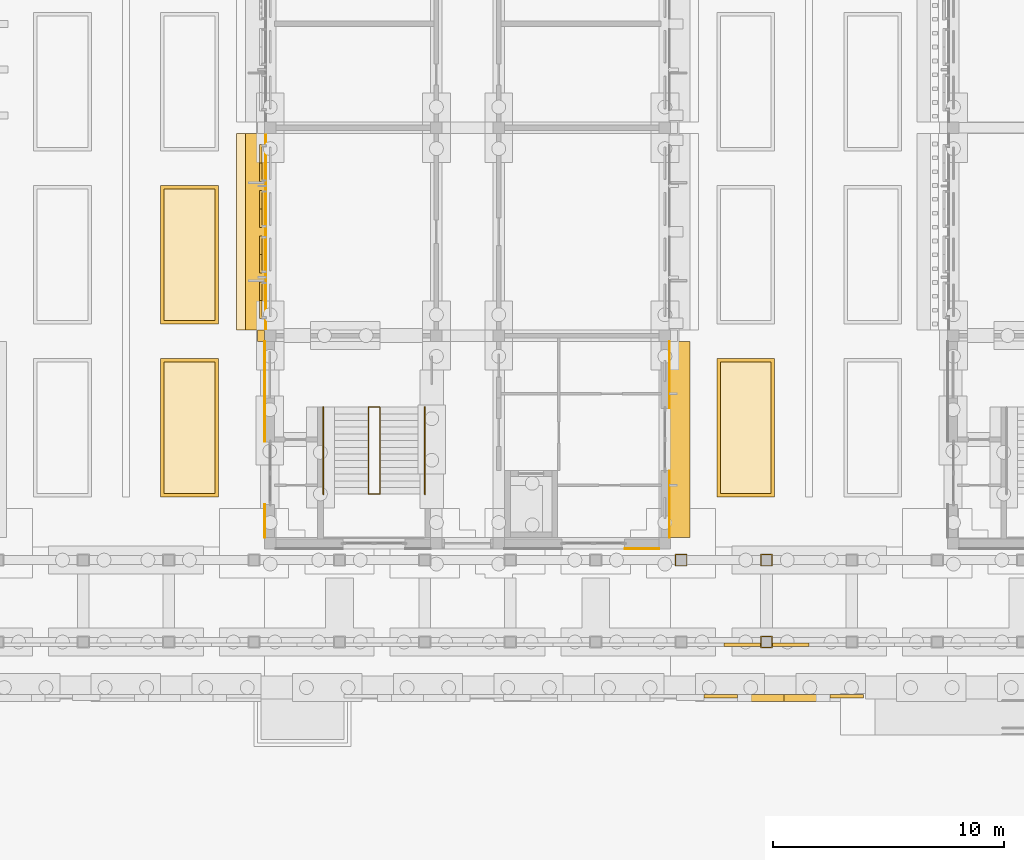
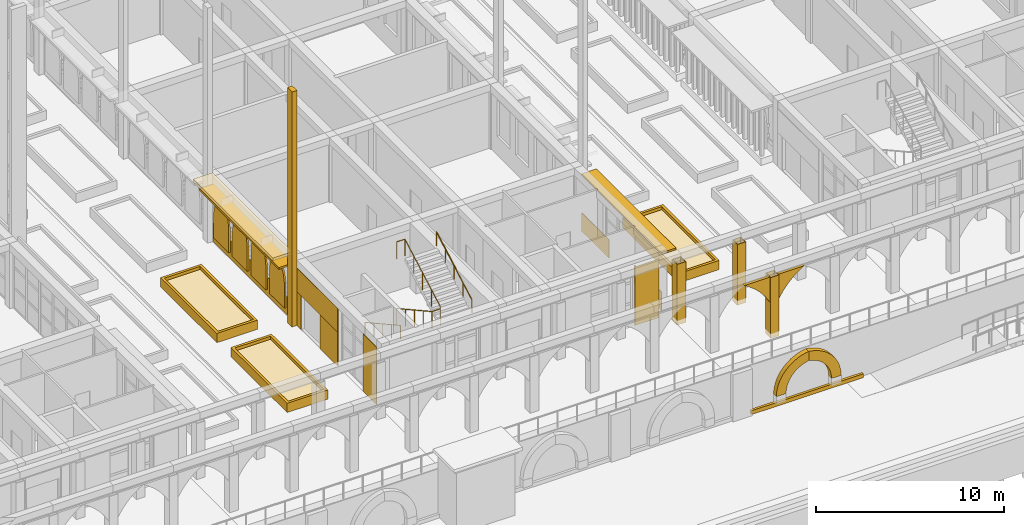
# One storey, part 100 of 161: 24 coverings, 6 shading devices, 3 railings.
"""IFC4 building model written with IfcOpenShell, lengths in metres."""

from ifc_helpers import new_model, si_unit, direction, frame, origin, origin_2d, place, context, subcontext, project, spatial, polyline, rectangle, circle, outline, extrude, material, layer, layer_set, type_object, element, save


model = new_model("IFC4")

# Units and contexts
model_context = context("Model", 3, precision=1e-05, world=origin(), true_north=direction((0.0, 1.0)))
body_context = subcontext(model_context, "Body", "Model", "MODEL_VIEW")
ifc_project = project(units=[si_unit("LENGTHUNIT", "METRE"), si_unit("AREAUNIT", "SQUARE_METRE"), si_unit("VOLUMEUNIT", "CUBIC_METRE"), si_unit("PLANEANGLEUNIT", "RADIAN"), si_unit("MASSUNIT", "GRAM", prefix="KILO")], contexts=[model_context])

# Site, building, storey
site_placement = place(None, origin())
site = spatial("IfcSite", under=ifc_project, at=site_placement, CompositionType="ELEMENT")
building_placement = place(site_placement, origin())
building = spatial("IfcBuilding", under=site, at=building_placement, Name="Elbe Cascade School", CompositionType="ELEMENT")
storey_placement = place(building_placement, origin())
storey = spatial("IfcBuildingStorey", under=building, at=storey_placement, Name="L00", CompositionType="ELEMENT", Elevation=0.0)

# Railings
ifc_material_1 = material(Name="Steel S355J2H, painted", Category="steel")
railing_type_1 = type_object("IfcRailingType", Name="Bar stair guard 1100", PredefinedType="GUARDRAIL", material=ifc_material_1)
railing_1_placement = place(storey_placement, frame((102.85009765625, 11.89990234375, 0.16064453125)))
element("IfcRailing", 1, at=railing_1_placement, inside=storey, type_object=railing_type_1, Name="Stair guard B0.S", PredefinedType="GUARDRAIL", context=body_context, shape_type="SweptSolid", body=[
    extrude(circle(Radius=0.02392578125, at=origin_2d()), frame((0.0, 0.0, 1.09619140625), z_axis=(0.0, -0.874659101714, 0.484738543742), x_axis=(1.0, 0.0, 0.0)), (0.0, 0.0, 1.0), 4.310302734375),
    extrude(circle(Radius=0.02392578125, at=origin_2d()), frame((0.0, -3.77001953125, 3.185546875), z_axis=(1.0, 0.0, 0.0), x_axis=(0.0, 1.0, 0.0)), (0.0, 0.0, 1.0), 0.5),
    extrude(circle(Radius=0.02392578125, at=origin_2d()), frame((0.5, -3.77001953125, 3.185546875), z_axis=(0.0, 0.0, 1.0), x_axis=(1.0, 0.0, 0.0)), (0.0, 0.0, 1.0), 0.16064453125),
    extrude(circle(Radius=0.02392578125, at=origin_2d()), frame((0.5, -3.77001953125, 3.34619140625), z_axis=(0.0, 0.874659101714, 0.484738543742), x_axis=(-1.0, 0.0, 0.0)), (0.0, 0.0, 1.0), 4.310302734375),
    extrude(circle(Radius=0.02392578125, at=origin_2d()), frame((0.5, 0.0, 5.435546875), z_axis=(-1.0, 0.0, 0.0), x_axis=(0.0, -1.0, 0.0)), (0.0, 0.0, 1.0), 0.5),
    extrude(circle(Radius=0.02099609375, at=origin_2d()), origin(), (0.0, 0.0, 1.0), 1.072021484375),
    extrude(circle(Radius=0.02099609375, at=origin_2d()), frame((0.0, -0.9423828125, 0.5224609375)), (0.0, 0.0, 1.0), 1.072021484375),
    extrude(circle(Radius=0.02099609375, at=origin_2d()), frame((0.0, -1.885009765625, 1.044677734375)), (0.0, 0.0, 1.0), 1.072021484375),
    extrude(circle(Radius=0.02099609375, at=origin_2d()), frame((0.0, -2.82763671875, 1.56689453125)), (0.0, 0.0, 1.0), 1.072021484375),
    extrude(circle(Radius=0.02099609375, at=origin_2d()), frame((0.0, -3.77001953125, 2.08935546875)), (0.0, 0.0, 1.0), 1.072021484375),
    extrude(circle(Radius=0.02099609375, at=origin_2d()), frame((0.5, -3.77001953125, 2.08935546875)), (0.0, 0.0, 1.0), 1.072021484375),
    extrude(circle(Radius=0.02099609375, at=origin_2d()), frame((0.5, -3.77001953125, 2.25)), (0.0, 0.0, 1.0), 1.072021484375),
    extrude(circle(Radius=0.02099609375, at=origin_2d()), frame((0.5, -2.82763671875, 2.7724609375)), (0.0, 0.0, 1.0), 1.072021484375),
    extrude(circle(Radius=0.02099609375, at=origin_2d()), frame((0.5, -1.885009765625, 3.294677734375)), (0.0, 0.0, 1.0), 1.072021484375),
    extrude(circle(Radius=0.02099609375, at=origin_2d()), frame((0.5, -0.9423828125, 3.81689453125)), (0.0, 0.0, 1.0), 1.072021484375),
    extrude(circle(Radius=0.02099609375, at=origin_2d()), frame((0.5, 0.0, 4.33935546875)), (0.0, 0.0, 1.0), 1.072021484375),
    extrude(circle(Radius=0.02099609375, at=origin_2d()), frame((0.0, 0.0, 4.33935546875)), (0.0, 0.0, 1.0), 1.072021484375),
])
ifc_material_2 = material(Name="Steel S355J2H, painted", Category="steel")
railing_type_2 = type_object("IfcRailingType", Name="Bar stair handrail 900", PredefinedType="HANDRAIL", material=ifc_material_2)
railing_2_placement = place(storey_placement, frame((100.89990234375, 11.89990234375, 0.16064453125)))
element("IfcRailing", 2, at=railing_2_placement, inside=storey, type_object=railing_type_2, Name="Stair handrail B0.S", PredefinedType="HANDRAIL", context=body_context, shape_type="SweptSolid", body=[
    extrude(circle(Radius=0.02392578125, at=origin_2d()), frame((0.0, 0.0, 0.8759765625), z_axis=(0.0, -0.874659101714, 0.484738543742), x_axis=(1.0, 0.0, 0.0)), (0.0, 0.0, 1.0), 4.310302734375),
    extrude(circle(Radius=0.02099609375, at=origin_2d()), origin(), (0.0, 0.0, 1.0), 0.851806640625),
    extrude(circle(Radius=0.02099609375, at=origin_2d()), frame((0.0, -0.9423828125, 0.5224609375)), (0.0, 0.0, 1.0), 0.851806640625),
    extrude(circle(Radius=0.02099609375, at=origin_2d()), frame((0.0, -1.885009765625, 1.044677734375)), (0.0, 0.0, 1.0), 0.851806640625),
    extrude(circle(Radius=0.02099609375, at=origin_2d()), frame((0.0, -2.82763671875, 1.56689453125)), (0.0, 0.0, 1.0), 0.851806640625),
    extrude(circle(Radius=0.02099609375, at=origin_2d()), frame((0.0, -3.77001953125, 2.08935546875)), (0.0, 0.0, 1.0), 0.851806640625),
])
railing_3_placement = place(storey_placement, frame((105.300048828125, 8.1298828125, 2.41064453125)))
element("IfcRailing", 3, at=railing_3_placement, inside=storey, type_object=railing_type_2, Name="Stair handrail B0.S", PredefinedType="HANDRAIL", context=body_context, shape_type="SweptSolid", body=[
    extrude(circle(Radius=0.02392578125, at=origin_2d()), frame((0.0, 0.0, 0.8759765625), z_axis=(0.0, 0.874659101714, 0.484738543742), x_axis=(-1.0, 0.0, 0.0)), (0.0, 0.0, 1.0), 4.310302734375),
    extrude(circle(Radius=0.02099609375, at=origin_2d()), origin(), (0.0, 0.0, 1.0), 0.851806640625),
    extrude(circle(Radius=0.02099609375, at=origin_2d()), frame((0.0, 0.9423828125, 0.5224609375)), (0.0, 0.0, 1.0), 0.851806640625),
    extrude(circle(Radius=0.02099609375, at=origin_2d()), frame((0.0, 1.885009765625, 1.044677734375)), (0.0, 0.0, 1.0), 0.851806640625),
    extrude(circle(Radius=0.02099609375, at=origin_2d()), frame((0.0, 2.82763671875, 1.56689453125)), (0.0, 0.0, 1.0), 0.851806640625),
    extrude(circle(Radius=0.02099609375, at=origin_2d()), frame((0.0, 3.77001953125, 2.08935546875)), (0.0, 0.0, 1.0), 0.851806640625),
])

# Shading devices
ifc_material_3 = material(Name="Precast concrete C30/37", Category="concrete")
ifc_layer_1 = layer(ifc_material_3, 0.1201171875)
ifc_layer_set_1 = layer_set([ifc_layer_1], Name="Precast concrete C30/37")
shading_device_type_1 = type_object("IfcShadingDeviceType", Name="Bars envelope Chhajja eave, precast concrete, 900 x 120", PredefinedType="USERDEFINED", material=ifc_layer_set_1)
for number, where, z_axis, x_axis, name in (
    (4, (97.969970703125, 19.5, 3.6298828125), (0.0, 0.0, 1.0), (0.0, 1.0, 0.0), "Chhajja eave SD2 B.L00.w2"),
    (5, (116.330078125, 10.5, 3.6298828125), (0.0, 0.0, 1.0), (0.0, 1.0, 0.0), "Chhajja eave SD2 B.L00.e1"),
):
    element("IfcShadingDevice", number, at=place(storey_placement, frame(where, z_axis=z_axis, x_axis=x_axis)), inside=storey, type_object=shading_device_type_1, Name=name, ObjectType="CHHAJJA", PredefinedType="USERDEFINED", context=body_context, shape_type="SweptSolid", body=[
        extrude(rectangle(XDim=8.5, YDim=0.89990234375, at=origin_2d()), origin(), (0.0, 0.0, 1.0), 0.1201171875),
    ])
ifc_material_4 = material(Name="Precast concrete C40/50", Category="concrete")
ifc_layer_2 = layer(ifc_material_4, 0.10009765625)
ifc_layer_set_2 = layer_set([ifc_layer_2], Name="Precast concrete C40/50")
shading_device_type_2 = type_object("IfcShadingDeviceType", Name="Bars envelope Jali screen 1600 x 2840, pointed arch rise 1200, pierced precast concrete", PredefinedType="USERDEFINED", material=ifc_layer_set_2)
shading_device_1_placement = place(storey_placement, frame((98.139892578125, 15.72998046875, 2.239990234375), z_axis=(-1.0, 0.0, 0.0), x_axis=(0.0, 0.196300278283, 0.98054382908)))
element("IfcShadingDevice", 6, at=shading_device_1_placement, inside=storey, type_object=shading_device_type_2, Name="Jali screen SD3 B.L00.w2.1", ObjectType="JALI", PredefinedType="USERDEFINED", context=body_context, shape_type="SweptSolid", body=[
    extrude(outline(polyline([(0.0, 0.0), (0.509921112317134, 0.0), (0.7186409460062186, 0.06005009918221829), (0.8735458233318658, 0.1311226852889124), (0.9982395622926888, 0.20799441476340969), (1.102872417131342, 0.2891312241218946), (1.1919448840573539, 0.37338315020117196), (1.268281725197354, 0.45993570394643946), (1.3336545243794973, 0.5489321924158467), (1.3075321958793382, 0.6559965916457164), (1.270445825421322, 0.7655049255997259), (1.220671754049922, 0.877553277802997), (1.155289369893253, 0.9924773561437888), (1.069846101614414, 1.1116665143685687), (0.9541916949707512, 1.2366548159611515), (0.7847223319636507, 1.37266560447821), (0.31409961520112845, 1.5689658827607584), (-1.2938869326328684, 1.8908772522001815), (-1.6079865478339967, 0.32191136943942317), (0.0, 0.0)])), origin(), (0.0, 0.0, -1.0), 0.10009765625),
])
for number, where, z_axis, x_axis, name in (
    (7, (98.139892578125, 17.7099609375, 2.239990234375), (-1.0, 0.0, 0.0), (0.0, 0.196300278283, 0.98054382908), "Jali screen SD3 B.L00.w2.2"),
    (8, (98.139892578125, 19.68994140625, 2.239990234375), (-1.0, 0.0, 0.0), (0.0, 0.196300278283, 0.98054382908), "Jali screen SD3 B.L00.w2.3"),
):
    element("IfcShadingDevice", number, at=place(storey_placement, frame(where, z_axis=z_axis, x_axis=x_axis)), inside=storey, type_object=shading_device_type_2, Name=name, ObjectType="JALI", PredefinedType="USERDEFINED", context=body_context, shape_type="SweptSolid", body=[
        extrude(outline(polyline([(0.0, 0.0), (0.509921112317134, 0.0), (0.7186409460062186, 0.06005009918221829), (0.8735458233318658, 0.1311226852889124), (0.9982874871653163, 0.20823380534668107), (1.102872417131342, 0.2891312241218946), (1.1919448840573539, 0.37338315020117196), (1.268281725197354, 0.45993570394643946), (1.3336545243794973, 0.5489321924158467), (1.3075801207519657, 0.6562359822289878), (1.270445825421322, 0.7655049255997259), (1.220671754049922, 0.877553277802997), (1.155289369893253, 0.9924773561437888), (1.069846101614414, 1.1116665143685687), (0.9542396198433787, 1.2368942065444228), (0.7847223319636507, 1.37266560447821), (0.31409961520112845, 1.5689658827607584), (-1.2938869326328684, 1.8908772522001815), (-1.6079865478339967, 0.32191136943942317), (0.0, 0.0)])), origin(), (0.0, 0.0, -1.0), 0.10009765625),
    ])
shading_device_2_placement = place(storey_placement, frame((98.139892578125, 21.669921875, 2.239990234375), z_axis=(-1.0, 0.0, 0.0), x_axis=(0.0, 0.196300278283, 0.98054382908)))
element("IfcShadingDevice", 9, at=shading_device_2_placement, inside=storey, type_object=shading_device_type_2, Name="Jali screen SD3 B.L00.w2.4", ObjectType="JALI", PredefinedType="USERDEFINED", context=body_context, shape_type="SweptSolid", body=[
    extrude(outline(polyline([(0.0, 0.0), (0.509921112317134, 0.0), (0.7186888708788461, 0.0602894897654897), (0.8735458233318658, 0.1311226852889124), (0.9982874871653163, 0.20823380534668107), (1.102872417131342, 0.2891312241218946), (1.1919448840573539, 0.37338315020117196), (1.2683296500699814, 0.46017509452971084), (1.3336545243794973, 0.5489321924158467), (1.3075801207519657, 0.6562359822289878), (1.270445825421322, 0.7655049255997259), (1.220671754049922, 0.877553277802997), (1.1553372947658807, 0.9927167467270602), (1.069846101614414, 1.1116665143685687), (0.9542396198433787, 1.2368942065444228), (0.7847223319636507, 1.37266560447821), (0.31409961520112845, 1.5689658827607584), (-1.2938869326328684, 1.8908772522001815), (-1.6079865478339967, 0.32191136943942317), (0.0, 0.0)])), origin(), (0.0, 0.0, -1.0), 0.10009765625),
])

# Coverings
ifc_material_5 = material(Name="Sandstone - red", Category="masonry")
covering_type_1 = type_object("IfcCoveringType", Name="Bars envelope Sandstone chhajja slab, 1200 deep", PredefinedType="CLADDING", material=ifc_material_5)
covering_1_placement = place(storey_placement, frame((97.75, 19.5, 4.31982421875), z_axis=(0.0, 0.0, 1.0), x_axis=(0.0, 1.0, 0.0)))
element("IfcCovering", 10, at=covering_1_placement, inside=storey, type_object=covering_type_1, Name="Chhajja slab CV61 B.L00.w1.1", PredefinedType="CLADDING", context=body_context, shape_type="SweptSolid", body=[
    extrude(rectangle(XDim=8.5, YDim=1.199951171875, at=origin_2d()), origin(), (0.0, 0.0, 1.0), 0.179931640625),
])
ifc_material_6 = material(Name="Sandstone - red", Category="masonry")
ifc_layer_3 = layer(ifc_material_6, 0.0400390625)
ifc_layer_set_3 = layer_set([ifc_layer_3], Name="Sandstone - red")
covering_type_2 = type_object("IfcCoveringType", Name="Bars envelope Sandstone cladding, red, 40 mm", PredefinedType="CLADDING", material=ifc_layer_set_3)
covering_2_placement = place(storey_placement, frame((98.360107421875, 6.969970703125, 0.0), z_axis=(0.0, 0.0, 1.0), x_axis=(0.0, 1.0, 0.0)))
element("IfcCovering", 11, at=covering_2_placement, inside=storey, type_object=covering_type_2, Name="Sandstone cladding CV48 B.L00.w.1a.1", PredefinedType="CLADDING", context=body_context, shape_type="SweptSolid", body=[
    extrude(rectangle(XDim=1.43994140625, YDim=0.0400390625, at=origin_2d()), origin(), (0.0, 0.0, 1.0), 3.75),
])
covering_3_placement = place(storey_placement, frame((98.360107421875, 11.344970703125, 0.0), z_axis=(0.0, 0.0, 1.0), x_axis=(0.0, 1.0, 0.0)))
element("IfcCovering", 12, at=covering_3_placement, inside=storey, type_object=covering_type_2, Name="Sandstone cladding CV48 B.L00.w.1b.1", PredefinedType="CLADDING", context=body_context, shape_type="SweptSolid", body=[
    extrude(rectangle(XDim=1.909912109375, YDim=0.0400390625, at=origin_2d()), origin(), (0.0, 0.0, 1.0), 2.199951171875),
])
covering_4_placement = place(storey_placement, frame((98.360107421875, 14.52490234375, 0.0), z_axis=(0.0, 0.0, 1.0), x_axis=(0.0, 1.0, 0.0)))
element("IfcCovering", 13, at=covering_4_placement, inside=storey, type_object=covering_type_2, Name="Sandstone cladding CV48 B.L00.w.1b.2", PredefinedType="CLADDING", context=body_context, shape_type="SweptSolid", body=[
    extrude(rectangle(XDim=0.449951171875, YDim=0.0400390625, at=origin_2d()), origin(), (0.0, 0.0, 1.0), 2.199951171875),
])
covering_5_placement = place(storey_placement, frame((98.360107421875, 12.570068359375, 2.2001953125), z_axis=(0.0, 0.0, 1.0), x_axis=(0.0, 1.0, 0.0)))
element("IfcCovering", 14, at=covering_5_placement, inside=storey, type_object=covering_type_2, Name="Sandstone cladding CV48 B.L00.w.1b.3", PredefinedType="CLADDING", context=body_context, shape_type="SweptSolid", body=[
    extrude(rectangle(XDim=4.360107421875, YDim=0.0400390625, at=origin_2d()), origin(), (0.0, 0.0, 1.0), 1.550048828125),
])
covering_6_placement = place(storey_placement, frame((98.39990234375, 19.5, 0.0), z_axis=(0.0, 0.0, 1.0), x_axis=(0.0, 1.0, 0.0)))
element("IfcCovering", 15, at=covering_6_placement, inside=storey, type_object=covering_type_2, Name="Sandstone cladding CV48 B.L00.w.2.1", PredefinedType="CLADDING", context=body_context, shape_type="SweptSolid", body=[
    extrude(rectangle(XDim=8.5, YDim=0.0400390625, at=origin_2d()), origin(), (0.0, 0.0, 1.0), 1.199951171875),
])
for number, where, z_axis, x_axis, name in (
    (16, (115.89990234375, 7.699951171875, 0.0), (0.0, 0.0, 1.0), (0.0, 1.0, 0.0), "Sandstone cladding CV48 B.L00.e.1a.1"),
    (17, (115.89990234375, 13.300048828125, 0.0), (0.0, 0.0, 1.0), (0.0, 1.0, 0.0), "Sandstone cladding CV48 B.L00.e.1b.1"),
):
    element("IfcCovering", number, at=place(storey_placement, frame(where, z_axis=z_axis, x_axis=x_axis)), inside=storey, type_object=covering_type_2, Name=name, PredefinedType="CLADDING", context=body_context, shape_type="SweptSolid", body=[
        extrude(rectangle(XDim=2.89990234375, YDim=0.0400390625, at=origin_2d()), origin(), (0.0, 0.0, 1.0), 1.199951171875),
    ])
covering_7_placement = place(storey_placement, frame((114.699951171875, 5.760009765625, 0.0), z_axis=(0.0, 0.0, 1.0), x_axis=(1.0, 0.0, 0.0)))
element("IfcCovering", 18, at=covering_7_placement, inside=storey, type_object=covering_type_2, Name="Sandstone cladding CV48 B.L00.s.3b.1", PredefinedType="CLADDING", context=body_context, shape_type="SweptSolid", body=[
    extrude(rectangle(XDim=1.5, YDim=0.0400390625, at=origin_2d()), origin(), (0.0, 0.0, 1.0), 3.800048828125),
])
ifc_material_7 = material(Name="Sandstone - red", Category="masonry")
covering_type_3 = type_object("IfcCoveringType", Name="Bars envelope Sandstone pilaster, 300 deep", PredefinedType="CLADDING", material=ifc_material_7)
covering_8_placement = place(storey_placement, frame((98.199951171875, 15.0, 0.0), z_axis=(0.0, 0.0, 1.0), x_axis=(0.0, 1.0, 0.0)))
element("IfcCovering", 19, at=covering_8_placement, inside=storey, type_object=covering_type_3, Name="Pilaster CV60 B.w1", PredefinedType="CLADDING", context=body_context, shape_type="SweptSolid", body=[
    extrude(rectangle(XDim=0.5, YDim=0.300048828125, at=origin_2d()), origin(), (0.0, 0.0, 1.0), 15.300048828125),
])
ifc_material_8 = material(Name="Sandstone - red", Category="masonry")
ifc_layer_4 = layer(ifc_material_8, 0.14990234375)
ifc_layer_set_4 = layer_set([ifc_layer_4], Name="Sandstone - red")
covering_type_4 = type_object("IfcCoveringType", Name="Plinth base course 150x250", PredefinedType="CLADDING", material=ifc_layer_set_4)
covering_9_placement = place(storey_placement, frame((0.0, 0.0, -3.10009765625)))
element("IfcCovering", 20, at=covering_9_placement, inside=storey, type_object=covering_type_4, Name="Plinth base course south 0.5.3", PredefinedType="CLADDING", context=body_context, shape_type="SweptSolid", body=[
    extrude(outline(polyline([(117.39990234375, -0.7099609375), (124.300048828125, -0.7099609375), (124.300048828125, -0.56005859375), (117.39990234375, -0.56005859375), (117.39990234375, -0.7099609375)])), origin(), (0.0, 0.0, 1.0), 0.25),
])
ifc_material_9 = material(Name="Sandstone - red", Category="masonry")
ifc_layer_5 = layer(ifc_material_9, 0.300048828125)
ifc_layer_set_5 = layer_set([ifc_layer_5], Name="Sandstone - red")
covering_type_5 = type_object("IfcCoveringType", Name="Plinth niche arch band 600x300", PredefinedType="CLADDING", material=ifc_layer_set_5)
covering_10_placement = place(storey_placement, frame((118.85009765625, -0.860107421875, -2.35009765625), z_axis=(0.0, -1.0, 0.0), x_axis=(1.0, 0.0, 0.0)))
element("IfcCovering", 21, at=covering_10_placement, inside=storey, type_object=covering_type_5, Name="Plinth niche arch band south 0.5.3a", PredefinedType="CLADDING", context=body_context, shape_type="SweptSolid", body=[
    extrude(outline(polyline([(0.0, 0.0), (0.599853515625, 0.0), (0.616455078125, 0.234619140625), (0.665771484375, 0.464599609375), (0.74658203125, 0.685302734375), (0.85791015625, 0.892578125), (0.9970703125, 1.08203125), (1.161376953125, 1.250244140625), (1.34765625, 1.393798828125), (1.55224609375, 1.509521484375), (1.771240234375, 1.595703125), (2.0, 1.650146484375), (2.0, 2.256103515625), (1.676513671875, 2.193115234375), (1.365966796875, 2.083984375), (1.07421875, 1.930908203125), (0.8076171875, 1.737548828125), (0.572021484375, 1.507568359375), (0.371826171875, 1.245849609375), (0.211669921875, 0.9580078125), (0.094970703125, 0.650146484375), (0.023681640625, 0.32861328125), (0.0, 0.0)])), origin(), (0.0, 0.0, -1.0), 0.300048828125),
])
covering_11_placement = place(storey_placement, frame((122.826171875, -0.860107421875, -2.021484375), z_axis=(0.0, -1.0, 0.0), x_axis=(-0.216459489286, 0.0, 0.976291600649)))
element("IfcCovering", 22, at=covering_11_placement, inside=storey, type_object=covering_type_5, Name="Plinth niche arch band south 0.5.3b", PredefinedType="CLADDING", context=body_context, shape_type="SweptSolid", body=[
    extrude(outline(polyline([(0.0, 0.0), (0.32934135960117644, 0.0), (0.6551644417049964, 0.04729296121112139), (0.9708493103907654, 0.14134607453088394), (1.2696444562943432, 0.2799052172108526), (1.545222228379718, 0.4603722209510249), (1.7917058001605646, 0.6787986155785705), (2.004304414248379, 0.9304949932625219), (2.1780687735896525, 1.2100568888472178), (2.3095325423352664, 1.512001110288553), (1.7179417823715963, 1.6431662598021382), (1.6153248124213089, 1.4318531562628691), (1.483783040712662, 1.2367058500948127), (1.3265185703197675, 1.0620157711342504), (1.146045413213602, 0.9112266325612076), (0.946254849459528, 0.7872267157841368), (0.7311708184544712, 0.6923747507733593), (0.5047115664853533, 0.628552762616067), (0.2717487496053557, 0.5974313901794459), (0.036545745541084515, 0.5990656517947303), (-0.1961045165427231, 0.6336432251247164), (-0.3260013487362735, 0.04777292375860029), (0.0, 0.0)])), origin(), (0.0, 0.0, -1.0), 0.300048828125),
])
ifc_material_10 = material(Name="Sandstone - red", Category="masonry")
ifc_layer_6 = layer(ifc_material_10, 0.14990234375)
ifc_layer_set_6 = layer_set([ifc_layer_6], Name="Sandstone - red")
covering_type_6 = type_object("IfcCoveringType", Name="Sandstone arch spandrel 3170x150", PredefinedType="CLADDING", material=ifc_layer_set_6)
covering_12_placement = place(storey_placement, frame((118.25, 1.52490234375, 3.64990234375), z_axis=(0.0, -1.0, 0.0), x_axis=(0.851947232707, 0.0, -0.52362764698)))
element("IfcCovering", 23, at=covering_12_placement, inside=storey, type_object=covering_type_6, Name="Colonnade arch spandrel 30r", PredefinedType="CLADDING", context=body_context, shape_type="SweptSolid", body=[
    extrude(outline(polyline([(0.0, 0.0), (0.2900065908011918, 0.0), (0.5792338172011682, -0.021111896437985944), (0.8660501932777647, -0.06347873721038338), (1.1492726964852549, -0.12610823030003315), (1.4269340071906127, -0.20906326745450166), (1.6980266242612543, -0.3121033802272114), (1.960951535291733, -0.4344919541630051), (2.2142375666576024, -0.5757003697365862), (1.3503030846525463, 0.8299293662587784), (0.0, 0.0)])), origin(), (0.0, 0.0, -1.0), 0.14990234375),
])
covering_13_placement = place(storey_placement, frame((120.364990234375, 1.52490234375, 3.64990234375), z_axis=(0.0, -1.0, 0.0), x_axis=(0.0, 0.0, -1.0)))
element("IfcCovering", 24, at=covering_13_placement, inside=storey, type_object=covering_type_6, Name="Colonnade arch spandrel 31l", PredefinedType="CLADDING", context=body_context, shape_type="SweptSolid", body=[
    extrude(outline(polyline([(0.0, 0.0), (1.64990234375, 0.0), (1.39697265625, 0.141845703125), (1.155029296875, 0.3017578125), (0.92529296875, 0.478759765625), (0.709228515625, 0.672119140625), (0.507568359375, 0.88037109375), (0.3212890625, 1.102783203125), (0.15185546875, 1.337890625), (0.0, 1.5849609375), (0.0, 0.0)])), origin(), (0.0, 0.0, -1.0), 0.14990234375),
])
ifc_material_11 = material(Name="Sandstone - red", Category="masonry")
ifc_layer_7 = layer(ifc_material_11, 0.0400390625)
ifc_layer_set_7 = layer_set([ifc_layer_7], Name="Sandstone - red")
covering_type_7 = type_object("IfcCoveringType", Name="Sandstone column cladding 40", PredefinedType="CLADDING", material=ifc_layer_set_7)
covering_14_placement = place(storey_placement, frame((0.0, 0.0, -0.300048828125)))
element("IfcCovering", 25, at=covering_14_placement, inside=storey, type_object=covering_type_7, Name="Colonnade column sandstone cladding F31", PredefinedType="CLADDING", context=body_context, shape_type="SweptSolid", body=[
    extrude(outline(polyline([(119.8349609375, 1.4599609375), (120.364990234375, 1.4599609375), (120.364990234375, 1.989990234375), (119.8349609375, 1.989990234375), (119.8349609375, 1.4599609375)]), holes=[polyline([(119.875, 1.949951171875), (120.324951171875, 1.949951171875), (120.324951171875, 1.5), (119.875, 1.5), (119.875, 1.949951171875)])]), origin(), (0.0, 0.0, 1.0), 3.949951171875),
])
covering_15_placement = place(storey_placement, frame((0.0, 0.0, -0.300048828125)))
element("IfcCovering", 26, at=covering_15_placement, inside=storey, type_object=covering_type_7, Name="Colonnade column sandstone cladding R30", PredefinedType="CLADDING", context=body_context, shape_type="SweptSolid", body=[
    extrude(outline(polyline([(116.135009765625, 5.010009765625), (116.6650390625, 5.010009765625), (116.6650390625, 5.5400390625), (116.135009765625, 5.5400390625), (116.135009765625, 5.010009765625)]), holes=[polyline([(116.175048828125, 5.5), (116.625, 5.5), (116.625, 5.050048828125), (116.175048828125, 5.050048828125), (116.175048828125, 5.5)])]), origin(), (0.0, 0.0, 1.0), 3.949951171875),
])
covering_16_placement = place(storey_placement, frame((0.0, 0.0, -0.300048828125)))
element("IfcCovering", 27, at=covering_16_placement, inside=storey, type_object=covering_type_7, Name="Colonnade column sandstone cladding R31", PredefinedType="CLADDING", context=body_context, shape_type="SweptSolid", body=[
    extrude(outline(polyline([(119.8349609375, 5.010009765625), (120.364990234375, 5.010009765625), (120.364990234375, 5.5400390625), (119.8349609375, 5.5400390625), (119.8349609375, 5.010009765625)]), holes=[polyline([(119.875, 5.5), (120.324951171875, 5.5), (120.324951171875, 5.050048828125), (119.875, 5.050048828125), (119.875, 5.5)])]), origin(), (0.0, 0.0, 1.0), 3.949951171875),
])
ifc_material_12 = material(Name="Planting - soil and shrubs", Category="soil")
ifc_layer_8 = layer(ifc_material_12, 0.39990234375)
ifc_layer_set_8 = layer_set([ifc_layer_8], Name="Planting - soil and shrubs")
covering_type_8 = type_object("IfcCoveringType", Name="Site planting bed 400", PredefinedType="USERDEFINED", material=ifc_layer_set_8)
covering_17_placement = place(storey_placement, origin())
element("IfcCovering", 28, at=covering_17_placement, inside=storey, type_object=covering_type_8, Name="Court A-B planting bed east 1", ObjectType="PLANTING BED", PredefinedType="USERDEFINED", context=body_context, shape_type="SweptSolid", body=[
    extrude(outline(polyline([(94.0, 8.14990234375), (96.199951171875, 8.14990234375), (96.199951171875, 13.85009765625), (94.0, 13.85009765625), (94.0, 8.14990234375)])), origin(), (0.0, 0.0, 1.0), 0.39990234375),
])
covering_18_placement = place(storey_placement, origin())
element("IfcCovering", 29, at=covering_18_placement, inside=storey, type_object=covering_type_8, Name="Court A-B planting bed east 2", ObjectType="PLANTING BED", PredefinedType="USERDEFINED", context=body_context, shape_type="SweptSolid", body=[
    extrude(outline(polyline([(94.0, 15.64990234375), (96.199951171875, 15.64990234375), (96.199951171875, 21.35009765625), (94.0, 21.35009765625), (94.0, 15.64990234375)])), origin(), (0.0, 0.0, 1.0), 0.39990234375),
])
covering_19_placement = place(storey_placement, origin())
element("IfcCovering", 30, at=covering_19_placement, inside=storey, type_object=covering_type_8, Name="Court B-C planting bed west 1", ObjectType="PLANTING BED", PredefinedType="USERDEFINED", context=body_context, shape_type="SweptSolid", body=[
    extrude(outline(polyline([(118.10009765625, 8.14990234375), (120.300048828125, 8.14990234375), (120.300048828125, 13.85009765625), (118.10009765625, 13.85009765625), (118.10009765625, 8.14990234375)])), origin(), (0.0, 0.0, 1.0), 0.39990234375),
])
ifc_material_13 = material(Name="Concrete C30/37 precast kerb", Category="concrete")
ifc_layer_9 = layer(ifc_material_13, 0.14990234375)
ifc_layer_set_9 = layer_set([ifc_layer_9], Name="Concrete C30/37 precast kerb")
covering_type_9 = type_object("IfcCoveringType", Name="Site planting bed kerb 150x600", PredefinedType="CLADDING", material=ifc_layer_set_9)
covering_20_placement = place(storey_placement, origin())
element("IfcCovering", 31, at=covering_20_placement, inside=storey, type_object=covering_type_9, Name="Court A-B planting bed kerb east 1", PredefinedType="CLADDING", context=body_context, shape_type="SweptSolid", body=[
    extrude(outline(polyline([(93.85009765625, 8.0), (96.35009765625, 8.0), (96.35009765625, 14.0), (93.85009765625, 14.0), (93.85009765625, 8.0)]), holes=[polyline([(94.0, 8.14990234375), (96.199951171875, 8.14990234375), (96.199951171875, 13.85009765625), (94.0, 13.85009765625), (94.0, 8.14990234375)])]), origin(), (0.0, 0.0, 1.0), 0.60009765625),
])
covering_21_placement = place(storey_placement, origin())
element("IfcCovering", 32, at=covering_21_placement, inside=storey, type_object=covering_type_9, Name="Court A-B planting bed kerb east 2", PredefinedType="CLADDING", context=body_context, shape_type="SweptSolid", body=[
    extrude(outline(polyline([(93.85009765625, 15.5), (96.35009765625, 15.5), (96.35009765625, 21.5), (93.85009765625, 21.5), (93.85009765625, 15.5)]), holes=[polyline([(94.0, 15.64990234375), (96.199951171875, 15.64990234375), (96.199951171875, 21.35009765625), (94.0, 21.35009765625), (94.0, 15.64990234375)])]), origin(), (0.0, 0.0, 1.0), 0.60009765625),
])
covering_22_placement = place(storey_placement, origin())
element("IfcCovering", 33, at=covering_22_placement, inside=storey, type_object=covering_type_9, Name="Court B-C planting bed kerb west 1", PredefinedType="CLADDING", context=body_context, shape_type="SweptSolid", body=[
    extrude(outline(polyline([(117.949951171875, 8.0), (120.449951171875, 8.0), (120.449951171875, 14.0), (117.949951171875, 14.0), (117.949951171875, 8.0)]), holes=[polyline([(118.10009765625, 8.14990234375), (120.300048828125, 8.14990234375), (120.300048828125, 13.85009765625), (118.10009765625, 13.85009765625), (118.10009765625, 8.14990234375)])]), origin(), (0.0, 0.0, 1.0), 0.60009765625),
])

save(model, "model.ifc")
